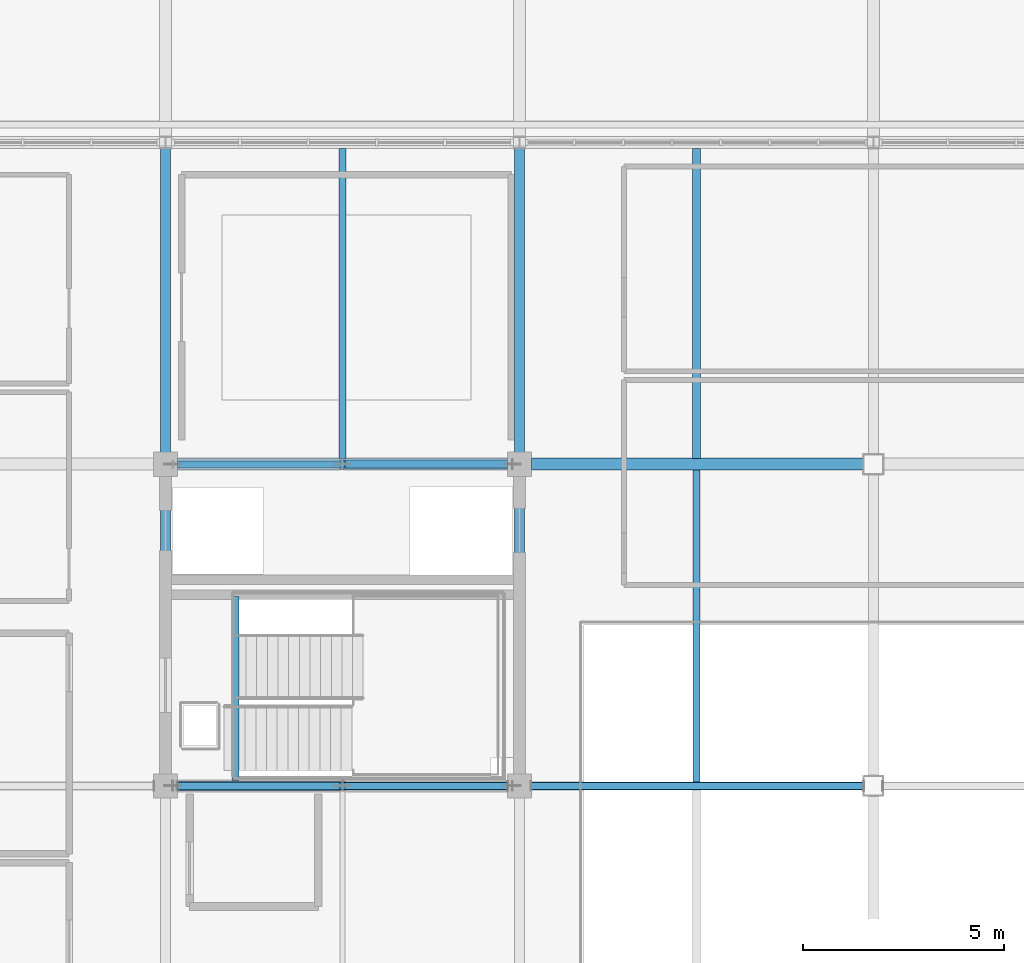
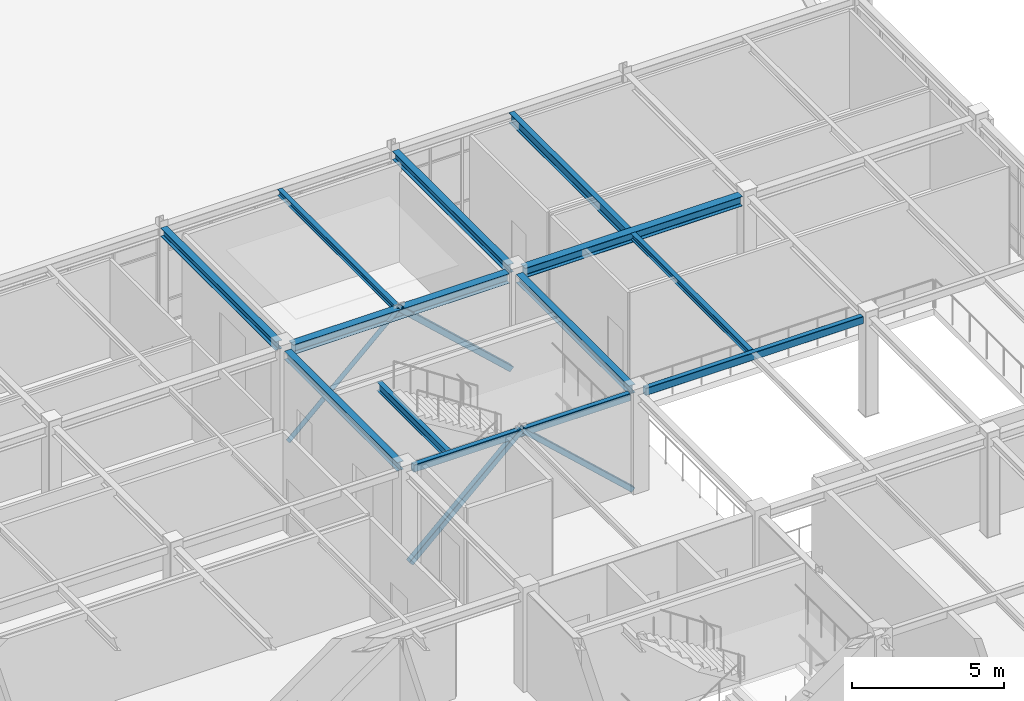
# One storey, part 13 of 45: 12 beams, 4 members.
"""IFC4 building model written with IfcOpenShell, lengths in metres."""

from ifc_helpers import new_model, si_unit, direction, frame, origin, origin_2d, place, context, subcontext, project, spatial, hollow_rectangle, hollow_circle, i_section, extrude, material, material_profile, profile_set, type_object, element, save


model = new_model("IFC4")

# Units and contexts
model_context = context("Model", 3, precision=1e-05, world=origin(), true_north=direction((0.0, 1.0)))
body_context = subcontext(model_context, "Body", "Model", "MODEL_VIEW")
ifc_project = project(units=[si_unit("LENGTHUNIT", "METRE"), si_unit("AREAUNIT", "SQUARE_METRE"), si_unit("VOLUMEUNIT", "CUBIC_METRE"), si_unit("PLANEANGLEUNIT", "RADIAN"), si_unit("MASSUNIT", "GRAM", prefix="KILO")], contexts=[model_context])

# Site, building, storey
site_placement = place(None, origin())
site = spatial("IfcSite", under=ifc_project, at=site_placement, CompositionType="ELEMENT")
building_placement = place(site_placement, origin())
building = spatial("IfcBuilding", under=site, at=building_placement, Name="Zhaolan Boulevard Law Courts", CompositionType="ELEMENT")
storey_placement = place(building_placement, frame((0.0, 0.0, 24.60009765625)))
storey = spatial("IfcBuildingStorey", under=building, at=storey_placement, Name="L05", CompositionType="ELEMENT", Elevation=24.60009765625)

# Members
ifc_material_1 = material(Name="Structural steel Q355B", Category="steel")
ifc_material_profile_1 = material_profile(ifc_material_1, hollow_rectangle(XDim=0.199951171875, YDim=0.199951171875, WallThickness=0.010009765625, InnerFilletRadius=0.010009765625, OuterFilletRadius=0.02001953125, at=origin_2d()), Name="HSS200x200x10")
ifc_profile_set_1 = profile_set([ifc_material_profile_1], Name="Structural steel Q355B")
member_type_1 = type_object("IfcMemberType", Name="BRACE HSS200", PredefinedType="BRACE", material=ifc_profile_set_1)
member_1_placement = place(storey_placement, frame((26.219970703125, 62.0, 0.02978515625), z_axis=(-0.73525664892, 0.0, 0.677788802076), x_axis=(0.0, -1.0, 0.0)))
element("IfcMember", 1, at=member_1_placement, inside=storey, type_object=member_type_1, Name="Core Brace BR-W2-L05-S2", PredefinedType="BRACE", context=body_context, shape_type="SweptSolid", body=[
    extrude(hollow_rectangle(XDim=0.199951171875, YDim=0.199951171875, WallThickness=0.010009765625, InnerFilletRadius=0.010009765625, OuterFilletRadius=0.02001953125, at=origin_2d()), origin(), (0.0, 0.0, 1.0), 5.739501953125),
])
ifc_material_2 = material(Name="Structural steel Q355B", Category="steel")
ifc_material_profile_2 = material_profile(ifc_material_2, hollow_rectangle(XDim=0.219970703125, YDim=0.219970703125, WallThickness=0.010009765625, InnerFilletRadius=0.010009765625, OuterFilletRadius=0.02001953125, at=origin_2d()), Name="HSS220x220x10")
ifc_profile_set_2 = profile_set([ifc_material_profile_2], Name="Structural steel Q355B")
member_type_2 = type_object("IfcMemberType", Name="BRACE HSS220", PredefinedType="BRACE", material=ifc_profile_set_2)
for number, where, z_axis, x_axis, name in (
    (2, (26.219970703125, 70.0, 0.02978515625), (-0.73525664892, 0.0, 0.677788802076), (0.0, -1.0, 0.0), "Core Brace BR-W2-L05-N2"),
    (3, (17.780029296875, 62.0, 0.02978515625), (0.73525664892, 0.0, 0.677788802076), (0.0, 1.0, 0.0), "Core Brace BR-W2-L05-S1"),
):
    element("IfcMember", number, at=place(storey_placement, frame(where, z_axis=z_axis, x_axis=x_axis)), inside=storey, type_object=member_type_2, Name=name, PredefinedType="BRACE", context=body_context, shape_type="SweptSolid", body=[
        extrude(hollow_rectangle(XDim=0.219970703125, YDim=0.219970703125, WallThickness=0.010009765625, InnerFilletRadius=0.010009765625, OuterFilletRadius=0.02001953125, at=origin_2d()), origin(), (0.0, 0.0, 1.0), 5.739501953125),
    ])

# Beams
ifc_material_3 = material(Name="Structural steel Q355B", Category="steel")
ifc_material_profile_3 = material_profile(ifc_material_3, i_section(OverallWidth=0.25, OverallDepth=0.340087890625, WebThickness=0.009033203125, FlangeThickness=0.013916015625, FilletRadius=0.01611328125, at=origin_2d()), Name="HM340x250")
ifc_profile_set_3 = profile_set([ifc_material_profile_3], Name="Structural steel Q355B")
beam_type_1 = type_object("IfcBeamType", Name="GIRDER HM340", PredefinedType="BEAM", material=ifc_profile_set_3)
beam_1_placement = place(storey_placement, frame((17.60009765625, 62.2958984375, 3.77783203125), z_axis=(0.0, 1.0, 0.0), x_axis=(-1.0, 0.0, 0.0)))
element("IfcBeam", 4, at=beam_1_placement, inside=storey, type_object=beam_type_1, Name="Beam BY-L06-3-J-K", PredefinedType="BEAM", context=body_context, shape_type="SweptSolid", body=[
    extrude(i_section(OverallWidth=0.25, OverallDepth=0.340087890625, WebThickness=0.009033203125, FlangeThickness=0.013916015625, FilletRadius=0.01611328125, at=origin_2d()), origin(), (0.0, 0.0, 1.0), 7.408203125),
])
beam_2_placement = place(storey_placement, frame((17.60009765625, 70.2958984375, 3.77783203125), z_axis=(0.0, 1.0, 0.0), x_axis=(-1.0, 0.0, 0.0)))
element("IfcBeam", 5, at=beam_2_placement, inside=storey, type_object=beam_type_1, Name="Beam BY-L06-3-K-L", PredefinedType="BEAM", context=body_context, shape_type="SweptSolid", body=[
    extrude(i_section(OverallWidth=0.25, OverallDepth=0.340087890625, WebThickness=0.009033203125, FlangeThickness=0.013916015625, FilletRadius=0.01611328125, at=origin_2d()), origin(), (0.0, 0.0, 1.0), 7.55810546875),
])
beam_3_placement = place(storey_placement, frame((26.39990234375, 62.2958984375, 3.77783203125), z_axis=(0.0, 1.0, 0.0), x_axis=(-1.0, 0.0, 0.0)))
element("IfcBeam", 6, at=beam_3_placement, inside=storey, type_object=beam_type_1, Name="Beam BY-L06-4-J-K", PredefinedType="BEAM", context=body_context, shape_type="SweptSolid", body=[
    extrude(i_section(OverallWidth=0.25, OverallDepth=0.340087890625, WebThickness=0.009033203125, FlangeThickness=0.013916015625, FilletRadius=0.01611328125, at=origin_2d()), origin(), (0.0, 0.0, 1.0), 7.408203125),
])
beam_4_placement = place(storey_placement, frame((26.39990234375, 70.2958984375, 3.77783203125), z_axis=(0.0, 1.0, 0.0), x_axis=(-1.0, 0.0, 0.0)))
element("IfcBeam", 7, at=beam_4_placement, inside=storey, type_object=beam_type_1, Name="Beam BY-L06-4-K-L", PredefinedType="BEAM", context=body_context, shape_type="SweptSolid", body=[
    extrude(i_section(OverallWidth=0.25, OverallDepth=0.340087890625, WebThickness=0.009033203125, FlangeThickness=0.013916015625, FilletRadius=0.01611328125, at=origin_2d()), origin(), (0.0, 0.0, 1.0), 7.55810546875),
])
ifc_material_4 = material(Name="Structural steel Q355B", Category="steel")
ifc_material_profile_4 = material_profile(ifc_material_4, i_section(OverallWidth=0.300048828125, OverallDepth=0.389892578125, WebThickness=0.010009765625, FlangeThickness=0.01611328125, FilletRadius=0.01806640625, at=origin_2d()), Name="HM390x300")
ifc_profile_set_4 = profile_set([ifc_material_profile_4], Name="Structural steel Q355B")
beam_type_2 = type_object("IfcBeamType", Name="GIRDER HM390", PredefinedType="BEAM", material=ifc_profile_set_4)
beam_5_placement = place(storey_placement, frame((17.89599609375, 70.0, 3.7529296875), z_axis=(1.0, 0.0, 0.0), x_axis=(0.0, 1.0, 0.0)))
element("IfcBeam", 8, at=beam_5_placement, inside=storey, type_object=beam_type_2, Name="Beam BX-L06-3-4-K", PredefinedType="BEAM", context=body_context, shape_type="SweptSolid", body=[
    extrude(i_section(OverallWidth=0.300048828125, OverallDepth=0.389892578125, WebThickness=0.010009765625, FlangeThickness=0.01611328125, FilletRadius=0.01806640625, at=origin_2d()), origin(), (0.0, 0.0, 1.0), 8.2080078125),
])
beam_6_placement = place(storey_placement, frame((26.696044921875, 70.0, 3.7529296875), z_axis=(1.0, 0.0, 0.0), x_axis=(0.0, 1.0, 0.0)))
element("IfcBeam", 9, at=beam_6_placement, inside=storey, type_object=beam_type_2, Name="Beam BX-L06-4-5-K", PredefinedType="BEAM", context=body_context, shape_type="SweptSolid", body=[
    extrude(i_section(OverallWidth=0.300048828125, OverallDepth=0.389892578125, WebThickness=0.010009765625, FlangeThickness=0.01611328125, FilletRadius=0.01806640625, at=origin_2d()), origin(), (0.0, 0.0, 1.0), 8.258056640625),
])
ifc_material_5 = material(Name="Structural steel Q355B", Category="steel")
ifc_material_profile_5 = material_profile(ifc_material_5, i_section(OverallWidth=0.175048828125, OverallDepth=0.243896484375, WebThickness=0.007080078125, FlangeThickness=0.010986328125, FilletRadius=0.012939453125, at=origin_2d()), Name="HM244x175")
ifc_profile_set_5 = profile_set([ifc_material_profile_5], Name="Structural steel Q355B")
beam_type_3 = type_object("IfcBeamType", Name="JOIST HM244", PredefinedType="JOIST", material=ifc_profile_set_5)
beam_7_placement = place(storey_placement, frame((22.0, 70.14599609375, 3.825927734375), z_axis=(0.0, 1.0, 0.0), x_axis=(-1.0, 0.0, 0.0)))
element("IfcBeam", 10, at=beam_7_placement, inside=storey, type_object=beam_type_3, Name="Composite Joist J-L06-3K", PredefinedType="JOIST", context=body_context, shape_type="SweptSolid", body=[
    extrude(i_section(OverallWidth=0.175048828125, OverallDepth=0.243896484375, WebThickness=0.007080078125, FlangeThickness=0.010986328125, FilletRadius=0.012939453125, at=origin_2d()), origin(), (0.0, 0.0, 1.0), 7.7080078125),
])
beam_8_placement = place(storey_placement, frame((30.800048828125, 62.095947265625, 3.825927734375), z_axis=(0.0, 1.0, 0.0), x_axis=(-1.0, 0.0, 0.0)))
element("IfcBeam", 11, at=beam_8_placement, inside=storey, type_object=beam_type_3, Name="Composite Joist J-L06-4J", PredefinedType="JOIST", context=body_context, shape_type="SweptSolid", body=[
    extrude(i_section(OverallWidth=0.175048828125, OverallDepth=0.243896484375, WebThickness=0.007080078125, FlangeThickness=0.010986328125, FilletRadius=0.012939453125, at=origin_2d()), origin(), (0.0, 0.0, 1.0), 7.758056640625),
])
ifc_material_6 = material(Name="Structural steel Q355B", Category="steel")
ifc_material_profile_6 = material_profile(ifc_material_6, i_section(OverallWidth=0.199951171875, OverallDepth=0.39990234375, WebThickness=0.008056640625, FlangeThickness=0.012939453125, FilletRadius=0.013916015625, at=origin_2d()), Name="HN400x200")
ifc_profile_set_6 = profile_set([ifc_material_profile_6], Name="Structural steel Q355B")
beam_type_4 = type_object("IfcBeamType", Name="JOIST HN400", PredefinedType="JOIST", material=ifc_profile_set_6)
beam_9_placement = place(storey_placement, frame((30.800048828125, 70.14599609375, 3.747802734375), z_axis=(0.0, 1.0, 0.0), x_axis=(-1.0, 0.0, 0.0)))
element("IfcBeam", 12, at=beam_9_placement, inside=storey, type_object=beam_type_4, Name="Composite Joist J-L06-4K", PredefinedType="JOIST", context=body_context, shape_type="SweptSolid", body=[
    extrude(i_section(OverallWidth=0.199951171875, OverallDepth=0.39990234375, WebThickness=0.008056640625, FlangeThickness=0.012939453125, FilletRadius=0.013916015625, at=origin_2d()), origin(), (0.0, 0.0, 1.0), 7.7080078125),
])
ifc_material_7 = material(Name="Structural steel Q355B", Category="steel")
ifc_material_profile_7 = material_profile(ifc_material_7, hollow_rectangle(XDim=0.199951171875, YDim=0.300048828125, WallThickness=0.011962890625, InnerFilletRadius=0.011962890625, OuterFilletRadius=0.02392578125, at=origin_2d()), Name="HSS300x200x12")
ifc_profile_set_7 = profile_set([ifc_material_profile_7], Name="Structural steel Q355B")
beam_type_5 = type_object("IfcBeamType", Name="SPANDREL HSS300", PredefinedType="SPANDREL", material=ifc_profile_set_7)
beam_10_placement = place(storey_placement, frame((17.89599609375, 62.0, 3.7978515625), z_axis=(1.0, 0.0, 0.0), x_axis=(0.0, 1.0, 0.0)))
element("IfcBeam", 13, at=beam_10_placement, inside=storey, type_object=beam_type_5, Name="Beam BX-L06-3-4-J", PredefinedType="SPANDREL", context=body_context, shape_type="SweptSolid", body=[
    extrude(hollow_rectangle(XDim=0.199951171875, YDim=0.300048828125, WallThickness=0.011962890625, InnerFilletRadius=0.011962890625, OuterFilletRadius=0.02392578125, at=origin_2d()), origin(), (0.0, 0.0, 1.0), 8.2080078125),
])
beam_11_placement = place(storey_placement, frame((26.696044921875, 62.0, 3.7978515625), z_axis=(1.0, 0.0, 0.0), x_axis=(0.0, 1.0, 0.0)))
element("IfcBeam", 14, at=beam_11_placement, inside=storey, type_object=beam_type_5, Name="Beam BX-L06-4-5-J", PredefinedType="SPANDREL", context=body_context, shape_type="SweptSolid", body=[
    extrude(hollow_rectangle(XDim=0.199951171875, YDim=0.300048828125, WallThickness=0.011962890625, InnerFilletRadius=0.011962890625, OuterFilletRadius=0.02392578125, at=origin_2d()), origin(), (0.0, 0.0, 1.0), 8.258056640625),
])
ifc_material_8 = material(Name="Structural steel Q355B", Category="steel")
ifc_material_profile_8 = material_profile(ifc_material_8, i_section(OverallWidth=0.175048828125, OverallDepth=0.35009765625, WebThickness=0.007080078125, FlangeThickness=0.010986328125, FilletRadius=0.012939453125, at=origin_2d()), Name="HN350x175")
ifc_profile_set_8 = profile_set([ifc_material_profile_8], Name="Structural steel Q355B")
beam_type_6 = type_object("IfcBeamType", Name="STAIR TRIMMER HN350", PredefinedType="BEAM", material=ifc_profile_set_8)
beam_12_placement = place(storey_placement, frame((19.3349609375, 62.139892578125, 3.73486328125), z_axis=(0.0, 1.0, 0.0), x_axis=(-1.0, 0.0, 0.0)))
element("IfcBeam", 15, at=beam_12_placement, inside=storey, type_object=beam_type_6, Name="Stair Landing Trimmer Beam STB-ST02-L06", PredefinedType="BEAM", context=body_context, shape_type="SweptSolid", body=[
    extrude(i_section(OverallWidth=0.175048828125, OverallDepth=0.35009765625, WebThickness=0.007080078125, FlangeThickness=0.010986328125, FilletRadius=0.012939453125, at=origin_2d()), origin(), (0.0, 0.0, 1.0), 4.570068359375),
])

# Member
ifc_material_9 = material(Name="Structural steel Q355B", Category="steel")
ifc_material_profile_9 = material_profile(ifc_material_9, hollow_circle(Radius=0.083984375, WallThickness=0.008056640625, at=origin_2d()), Name="CHS168x8")
ifc_profile_set_9 = profile_set([ifc_material_profile_9], Name="Structural steel Q355B")
member_type_3 = type_object("IfcMemberType", Name="STRUT CHS168", PredefinedType="BRACE", material=ifc_profile_set_9)
member_2_placement = place(storey_placement, frame((17.780029296875, 70.0, 0.02978515625), z_axis=(0.73525664892, 0.0, 0.677788802076), x_axis=(0.0, 1.0, 0.0)))
element("IfcMember", 16, at=member_2_placement, inside=storey, type_object=member_type_3, Name="Core Brace BR-W2-L05-N1", PredefinedType="BRACE", context=body_context, shape_type="SweptSolid", body=[
    extrude(hollow_circle(Radius=0.083984375, WallThickness=0.008056640625, at=origin_2d()), origin(), (0.0, 0.0, 1.0), 5.739501953125),
])

save(model, "model.ifc")
